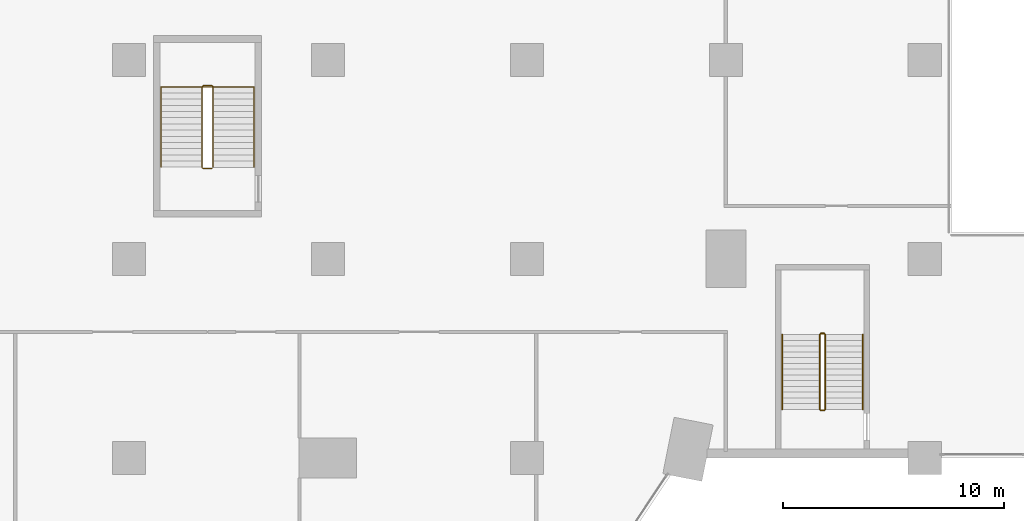
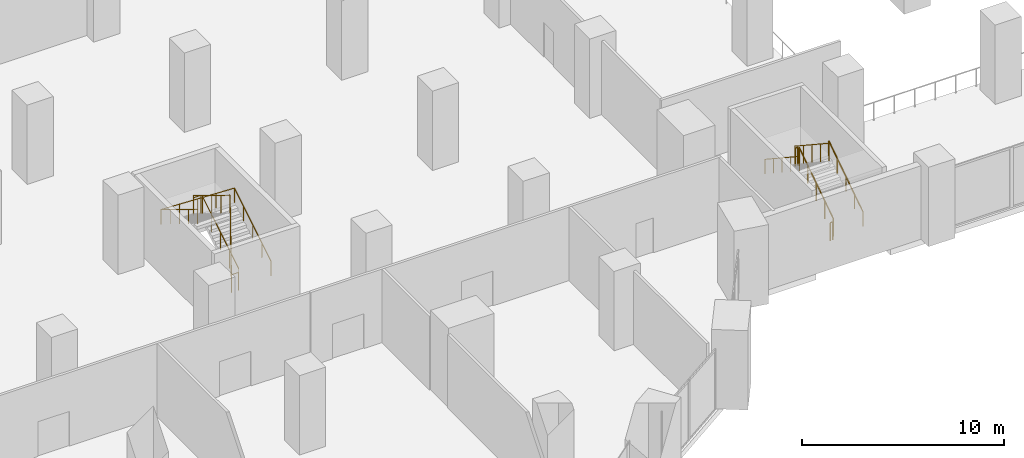
# One storey, part 43 of 49: 8 railings.
"""IFC4 building model written with IfcOpenShell, lengths in metres."""

from ifc_helpers import new_model, si_unit, direction, frame, origin, origin_2d, place, context, subcontext, project, spatial, circle, extrude, material, type_object, element, save


model = new_model("IFC4")

# Units and contexts
model_context = context("Model", 3, precision=1e-05, world=origin(), true_north=direction((0.0, 1.0)))
body_context = subcontext(model_context, "Body", "Model", "MODEL_VIEW")
ifc_project = project(units=[si_unit("LENGTHUNIT", "METRE"), si_unit("AREAUNIT", "SQUARE_METRE"), si_unit("VOLUMEUNIT", "CUBIC_METRE"), si_unit("PLANEANGLEUNIT", "RADIAN"), si_unit("MASSUNIT", "GRAM", prefix="KILO")], contexts=[model_context])

# Site, building, storey
site_placement = place(None, origin())
site = spatial("IfcSite", under=ifc_project, at=site_placement, CompositionType="ELEMENT")
building_placement = place(site_placement, origin())
building = spatial("IfcBuilding", under=site, at=building_placement, Name="Hunhe Ridgeline Campus", CompositionType="ELEMENT")
storey_placement = place(building_placement, frame((0.0, 0.0, 21.60009765625)))
storey = spatial("IfcBuildingStorey", under=building, at=storey_placement, Name="L04", CompositionType="ELEMENT", Elevation=21.60009765625)

# Railings
ifc_material_1 = material(Name="Steel Q235", Category="steel")
railing_type_1 = type_object("IfcRailingType", Name="Podium stair guard 1100", PredefinedType="GUARDRAIL", material=ifc_material_1)
railing_1_placement = place(storey_placement, frame((49.5, 20.199951171875, 0.17138671875)))
element("IfcRailing", 1, at=railing_1_placement, inside=storey, type_object=railing_type_1, Name="L04 PS1 stair guard 1", PredefinedType="GUARDRAIL", context=body_context, shape_type="SweptSolid", body=[
    extrude(circle(Radius=0.02392578125, at=origin_2d()), frame((0.0, 0.0, 1.076171875), z_axis=(0.0, 0.834878220475, 0.550434698194), x_axis=(-1.0, 0.0, 0.0)), (0.0, 0.0, 1.0), 4.048583984375),
    extrude(circle(Radius=0.02099609375, at=origin_2d()), origin(), (0.0, 0.0, 1.0), 1.052001953125),
    extrude(circle(Radius=0.02099609375, at=origin_2d()), frame((0.0, 0.844970703125, 0.55712890625)), (0.0, 0.0, 1.0), 1.052001953125),
    extrude(circle(Radius=0.02099609375, at=origin_2d()), frame((0.0, 1.68994140625, 1.1142578125)), (0.0, 0.0, 1.0), 1.052001953125),
    extrude(circle(Radius=0.02099609375, at=origin_2d()), frame((0.0, 2.53515625, 1.67138671875)), (0.0, 0.0, 1.0), 1.052001953125),
    extrude(circle(Radius=0.02099609375, at=origin_2d()), frame((0.0, 3.380126953125, 2.228515625)), (0.0, 0.0, 1.0), 1.052001953125),
])
railing_2_placement = place(storey_placement, frame((49.449951171875, 23.6298828125, 2.39990234375)))
element("IfcRailing", 2, at=railing_2_placement, inside=storey, type_object=railing_type_1, Name="L04 PS1 stair guard 2", PredefinedType="GUARDRAIL", context=body_context, shape_type="SweptSolid", body=[
    extrude(circle(Radius=0.02392578125, at=origin_2d()), frame((0.0, 0.0, 1.076171875), z_axis=(-1.0, 0.0, 0.0), x_axis=(0.0, -1.0, 0.0)), (0.0, 0.0, 1.0), 0.14990234375),
    extrude(circle(Radius=0.02099609375, at=origin_2d()), origin(), (0.0, 0.0, 1.0), 1.052001953125),
    extrude(circle(Radius=0.02099609375, at=origin_2d()), frame((-0.14990234375, 0.0, 0.0)), (0.0, 0.0, 1.0), 1.052001953125),
])
railing_3_placement = place(storey_placement, frame((49.25, 23.580078125, 2.5712890625)))
element("IfcRailing", 3, at=railing_3_placement, inside=storey, type_object=railing_type_1, Name="L04 PS1 stair guard 3", PredefinedType="GUARDRAIL", context=body_context, shape_type="SweptSolid", body=[
    extrude(circle(Radius=0.02392578125, at=origin_2d()), frame((0.0, 0.0, 1.076171875), z_axis=(0.0, -0.834878220475, 0.550434698194), x_axis=(1.0, 0.0, 0.0)), (0.0, 0.0, 1.0), 4.048583984375),
    extrude(circle(Radius=0.02099609375, at=origin_2d()), origin(), (0.0, 0.0, 1.0), 1.052001953125),
    extrude(circle(Radius=0.02099609375, at=origin_2d()), frame((0.0, -0.844970703125, 0.55712890625)), (0.0, 0.0, 1.0), 1.052001953125),
    extrude(circle(Radius=0.02099609375, at=origin_2d()), frame((0.0, -1.68994140625, 1.1142578125)), (0.0, 0.0, 1.0), 1.052001953125),
    extrude(circle(Radius=0.02099609375, at=origin_2d()), frame((0.0, -2.53515625, 1.67138671875)), (0.0, 0.0, 1.0), 1.052001953125),
    extrude(circle(Radius=0.02099609375, at=origin_2d()), frame((0.0, -3.380126953125, 2.228515625)), (0.0, 0.0, 1.0), 1.052001953125),
])
railing_4_placement = place(storey_placement, frame((49.449951171875, 20.14990234375, 0.0)))
element("IfcRailing", 4, at=railing_4_placement, inside=storey, type_object=railing_type_1, Name="L04 PS1 stair guard 4", PredefinedType="GUARDRAIL", context=body_context, shape_type="SweptSolid", body=[
    extrude(circle(Radius=0.02392578125, at=origin_2d()), frame((0.0, 0.0, 1.076171875), z_axis=(-1.0, 0.0, 0.0), x_axis=(0.0, -1.0, 0.0)), (0.0, 0.0, 1.0), 0.14990234375),
    extrude(circle(Radius=0.02099609375, at=origin_2d()), origin(), (0.0, 0.0, 1.0), 1.052001953125),
    extrude(circle(Radius=0.02099609375, at=origin_2d()), frame((-0.14990234375, 0.0, 0.0)), (0.0, 0.0, 1.0), 1.052001953125),
])
railing_type_2 = type_object("IfcRailingType", Name="Podium stair handrail", PredefinedType="HANDRAIL", material=ifc_material_1)
railing_5_placement = place(storey_placement, frame((51.199951171875, 20.199951171875, 0.17138671875)))
element("IfcRailing", 5, at=railing_5_placement, inside=storey, type_object=railing_type_2, Name="L04 PS1 stair handrail 1", PredefinedType="HANDRAIL", context=body_context, shape_type="SweptSolid", body=[
    extrude(circle(Radius=0.02392578125, at=origin_2d()), frame((0.0, 0.0, 0.8759765625), z_axis=(0.0, 0.834878220475, 0.550434698194), x_axis=(-1.0, 0.0, 0.0)), (0.0, 0.0, 1.0), 4.048583984375),
    extrude(circle(Radius=0.02099609375, at=origin_2d()), origin(), (0.0, 0.0, 1.0), 0.851806640625),
    extrude(circle(Radius=0.02099609375, at=origin_2d()), frame((0.0, 0.844970703125, 0.55712890625)), (0.0, 0.0, 1.0), 0.851806640625),
    extrude(circle(Radius=0.02099609375, at=origin_2d()), frame((0.0, 1.68994140625, 1.1142578125)), (0.0, 0.0, 1.0), 0.851806640625),
    extrude(circle(Radius=0.02099609375, at=origin_2d()), frame((0.0, 2.53515625, 1.67138671875)), (0.0, 0.0, 1.0), 0.851806640625),
    extrude(circle(Radius=0.02099609375, at=origin_2d()), frame((0.0, 3.380126953125, 2.228515625)), (0.0, 0.0, 1.0), 0.851806640625),
])
railing_6_placement = place(storey_placement, frame((47.550048828125, 23.580078125, 2.5712890625)))
element("IfcRailing", 6, at=railing_6_placement, inside=storey, type_object=railing_type_2, Name="L04 PS1 stair handrail 2", PredefinedType="HANDRAIL", context=body_context, shape_type="SweptSolid", body=[
    extrude(circle(Radius=0.02392578125, at=origin_2d()), frame((0.0, 0.0, 0.8759765625), z_axis=(0.0, -0.834878220475, 0.550434698194), x_axis=(1.0, 0.0, 0.0)), (0.0, 0.0, 1.0), 4.048583984375),
    extrude(circle(Radius=0.02099609375, at=origin_2d()), origin(), (0.0, 0.0, 1.0), 0.851806640625),
    extrude(circle(Radius=0.02099609375, at=origin_2d()), frame((0.0, -0.844970703125, 0.55712890625)), (0.0, 0.0, 1.0), 0.851806640625),
    extrude(circle(Radius=0.02099609375, at=origin_2d()), frame((0.0, -1.68994140625, 1.1142578125)), (0.0, 0.0, 1.0), 0.851806640625),
    extrude(circle(Radius=0.02099609375, at=origin_2d()), frame((0.0, -2.53515625, 1.67138671875)), (0.0, 0.0, 1.0), 0.851806640625),
    extrude(circle(Radius=0.02099609375, at=origin_2d()), frame((0.0, -3.380126953125, 2.228515625)), (0.0, 0.0, 1.0), 0.851806640625),
])
ifc_material_2 = material(Name="Stainless steel balustrade", Category="steel")
railing_type_3 = type_object("IfcRailingType", Name="Stair guard 1100 stainless", PredefinedType="GUARDRAIL", material=ifc_material_2)
railing_7_placement = place(storey_placement, frame((21.800048828125, 31.14990234375, 0.17138671875)))
element("IfcRailing", 7, at=railing_7_placement, inside=storey, type_object=railing_type_3, Name="L04 stair W3 guard", PredefinedType="GUARDRAIL", context=body_context, shape_type="SweptSolid", body=[
    extrude(circle(Radius=0.02392578125, at=origin_2d()), frame((0.0, 0.0, 1.076171875), z_axis=(0.0, 0.852865859571, 0.52213008492), x_axis=(-1.0, 0.0, 0.0)), (0.0, 0.0, 1.0), 4.26806640625),
    extrude(circle(Radius=0.02392578125, at=origin_2d()), frame((0.0, 3.64013671875, 3.3046875), z_axis=(-0.707106781187, 0.707106781187, 0.0), x_axis=(-0.707106781187, -0.707106781187, 0.0)), (0.0, 0.0, 1.0), 0.07080078125),
    extrude(circle(Radius=0.02392578125, at=origin_2d()), frame((-0.050048828125, 3.690185546875, 3.3046875), z_axis=(-1.0, 0.0, 0.0), x_axis=(0.0, -1.0, 0.0)), (0.0, 0.0, 1.0), 0.39990234375),
    extrude(circle(Radius=0.02392578125, at=origin_2d()), frame((-0.449951171875, 3.690185546875, 3.3046875), z_axis=(-0.269911200495, -0.269911200495, 0.924281281696), x_axis=(0.707106781187, -0.707106781187, 0.0)), (0.0, 0.0, 1.0), 0.185546875),
    extrude(circle(Radius=0.02392578125, at=origin_2d()), frame((-0.5, 3.64013671875, 3.47607421875), z_axis=(0.0, -0.852865859571, 0.52213008492), x_axis=(1.0, 0.0, 0.0)), (0.0, 0.0, 1.0), 4.26806640625),
    extrude(circle(Radius=0.02392578125, at=origin_2d()), frame((-0.5, 0.0, 5.70458984375), z_axis=(0.010426135445, -0.010375276248, -0.99989181882), x_axis=(0.705375805398, 0.708833529934, 0.0)), (0.0, 0.0, 1.0), 4.80029296875),
    extrude(circle(Radius=0.02392578125, at=origin_2d()), frame((-0.449951171875, -0.0498046875, 0.90478515625), z_axis=(1.0, 0.0, 0.0), x_axis=(0.0, 1.0, 0.0)), (0.0, 0.0, 1.0), 0.39990234375),
    extrude(circle(Radius=0.02099609375, at=origin_2d()), origin(), (0.0, 0.0, 1.0), 1.052001953125),
    extrude(circle(Radius=0.02099609375, at=origin_2d()), frame((0.0, 0.91015625, 0.55712890625)), (0.0, 0.0, 1.0), 1.052001953125),
    extrude(circle(Radius=0.02099609375, at=origin_2d()), frame((0.0, 1.820068359375, 1.1142578125)), (0.0, 0.0, 1.0), 1.052001953125),
    extrude(circle(Radius=0.02099609375, at=origin_2d()), frame((0.0, 2.72998046875, 1.67138671875)), (0.0, 0.0, 1.0), 1.052001953125),
    extrude(circle(Radius=0.02099609375, at=origin_2d()), frame((0.0, 3.64013671875, 2.228515625)), (0.0, 0.0, 1.0), 1.052001953125),
    extrude(circle(Radius=0.02099609375, at=origin_2d()), frame((-0.050048828125, 3.690185546875, 2.228515625)), (0.0, 0.0, 1.0), 1.052001953125),
    extrude(circle(Radius=0.02099609375, at=origin_2d()), frame((-0.449951171875, 3.690185546875, 2.228515625)), (0.0, 0.0, 1.0), 1.052001953125),
    extrude(circle(Radius=0.02099609375, at=origin_2d()), frame((-0.5, 3.64013671875, 2.39990234375)), (0.0, 0.0, 1.0), 1.052001953125),
    extrude(circle(Radius=0.02099609375, at=origin_2d()), frame((-0.5, 2.72998046875, 2.95703125)), (0.0, 0.0, 1.0), 1.052001953125),
    extrude(circle(Radius=0.02099609375, at=origin_2d()), frame((-0.5, 1.820068359375, 3.51416015625)), (0.0, 0.0, 1.0), 1.052001953125),
    extrude(circle(Radius=0.02099609375, at=origin_2d()), frame((-0.5, 0.91015625, 4.0712890625)), (0.0, 0.0, 1.0), 1.052001953125),
    extrude(circle(Radius=0.02099609375, at=origin_2d()), frame((-0.5, 0.0, 4.62841796875)), (0.0, 0.0, 1.0), 1.052001953125),
    extrude(circle(Radius=0.02099609375, at=origin_2d()), frame((-0.489990234375, -0.010009765625, 3.66845703125)), (0.0, 0.0, 1.0), 1.052001953125),
    extrude(circle(Radius=0.02099609375, at=origin_2d()), frame((-0.47998046875, -0.02001953125, 2.70849609375)), (0.0, 0.0, 1.0), 1.052001953125),
    extrude(circle(Radius=0.02099609375, at=origin_2d()), frame((-0.469970703125, -0.02978515625, 1.74853515625)), (0.0, 0.0, 1.0), 1.052001953125),
    extrude(circle(Radius=0.02099609375, at=origin_2d()), frame((-0.4599609375, -0.039794921875, 0.78857421875)), (0.0, 0.0, 1.0), 1.052001953125),
    extrude(circle(Radius=0.02099609375, at=origin_2d()), frame((-0.449951171875, -0.0498046875, -0.17138671875)), (0.0, 0.0, 1.0), 1.052001953125),
    extrude(circle(Radius=0.02099609375, at=origin_2d()), frame((-0.050048828125, -0.0498046875, -0.17138671875)), (0.0, 0.0, 1.0), 1.052001953125),
])
ifc_material_3 = material(Name="Stainless steel handrail", Category="steel")
railing_type_4 = type_object("IfcRailingType", Name="Stair handrail 900 stainless", PredefinedType="HANDRAIL", material=ifc_material_3)
railing_8_placement = place(storey_placement, frame((23.64990234375, 31.14990234375, 0.17138671875)))
element("IfcRailing", 8, at=railing_8_placement, inside=storey, type_object=railing_type_4, Name="L04 stair W3 handrail", PredefinedType="HANDRAIL", context=body_context, shape_type="SweptSolid", body=[
    extrude(circle(Radius=0.02392578125, at=origin_2d()), frame((0.0, 0.0, 0.8759765625), z_axis=(0.0, 0.852865859571, 0.52213008492), x_axis=(-1.0, 0.0, 0.0)), (0.0, 0.0, 1.0), 4.26806640625),
    extrude(circle(Radius=0.02392578125, at=origin_2d()), frame((0.0, 3.64013671875, 3.1044921875), z_axis=(-0.999168439458, 0.0, 0.040772902662), x_axis=(0.0, -1.0, 0.0)), (0.0, 0.0, 1.0), 4.203369140625),
    extrude(circle(Radius=0.02392578125, at=origin_2d()), frame((-4.199951171875, 3.64013671875, 3.27587890625), z_axis=(0.0, -0.852865859571, 0.52213008492), x_axis=(1.0, 0.0, 0.0)), (0.0, 0.0, 1.0), 4.26806640625),
    extrude(circle(Radius=0.02099609375, at=origin_2d()), origin(), (0.0, 0.0, 1.0), 0.851806640625),
    extrude(circle(Radius=0.02099609375, at=origin_2d()), frame((0.0, 0.91015625, 0.55712890625)), (0.0, 0.0, 1.0), 0.851806640625),
    extrude(circle(Radius=0.02099609375, at=origin_2d()), frame((0.0, 1.820068359375, 1.1142578125)), (0.0, 0.0, 1.0), 0.851806640625),
    extrude(circle(Radius=0.02099609375, at=origin_2d()), frame((0.0, 2.72998046875, 1.67138671875)), (0.0, 0.0, 1.0), 0.851806640625),
    extrude(circle(Radius=0.02099609375, at=origin_2d()), frame((0.0, 3.64013671875, 2.228515625)), (0.0, 0.0, 1.0), 0.851806640625),
    extrude(circle(Radius=0.02099609375, at=origin_2d()), frame((-1.050048828125, 3.64013671875, 2.271484375)), (0.0, 0.0, 1.0), 0.851806640625),
    extrude(circle(Radius=0.02099609375, at=origin_2d()), frame((-2.10009765625, 3.64013671875, 2.314208984375)), (0.0, 0.0, 1.0), 0.851806640625),
    extrude(circle(Radius=0.02099609375, at=origin_2d()), frame((-3.14990234375, 3.64013671875, 2.35693359375)), (0.0, 0.0, 1.0), 0.851806640625),
    extrude(circle(Radius=0.02099609375, at=origin_2d()), frame((-4.199951171875, 3.64013671875, 2.39990234375)), (0.0, 0.0, 1.0), 0.851806640625),
    extrude(circle(Radius=0.02099609375, at=origin_2d()), frame((-4.199951171875, 2.72998046875, 2.95703125)), (0.0, 0.0, 1.0), 0.851806640625),
    extrude(circle(Radius=0.02099609375, at=origin_2d()), frame((-4.199951171875, 1.820068359375, 3.51416015625)), (0.0, 0.0, 1.0), 0.851806640625),
    extrude(circle(Radius=0.02099609375, at=origin_2d()), frame((-4.199951171875, 0.91015625, 4.0712890625)), (0.0, 0.0, 1.0), 0.851806640625),
    extrude(circle(Radius=0.02099609375, at=origin_2d()), frame((-4.199951171875, 0.0, 4.62841796875)), (0.0, 0.0, 1.0), 0.851806640625),
])

save(model, "model.ifc")
